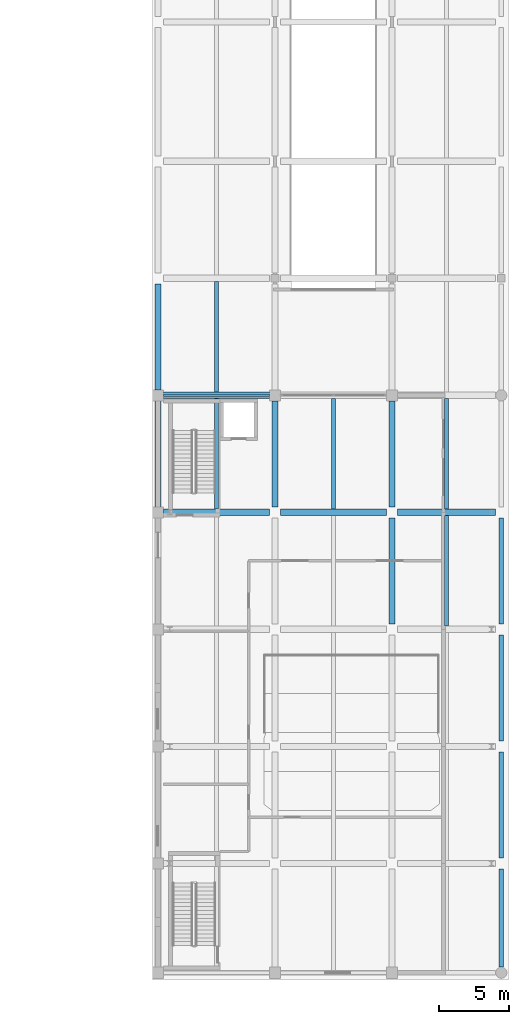
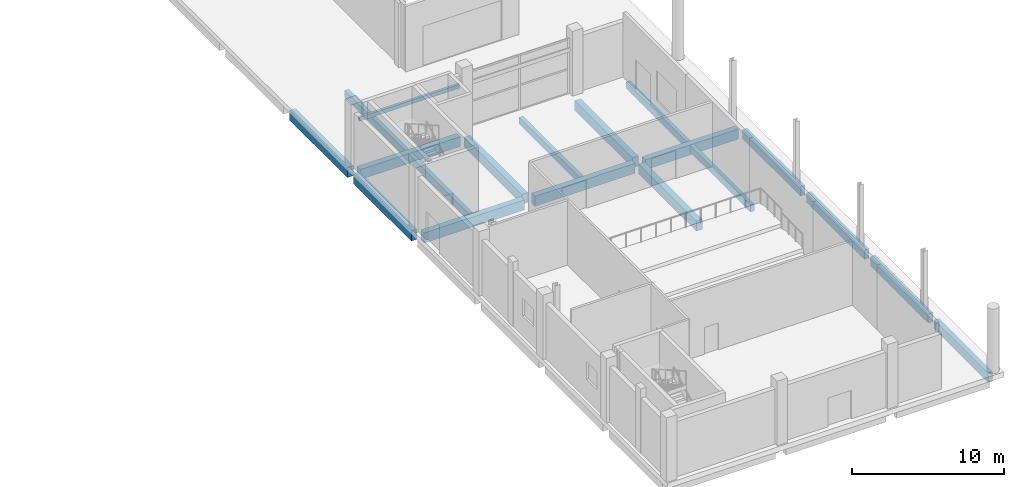
# One storey, part 15 of 34: 19 beams.
"""IFC4 building model written with IfcOpenShell, lengths in metres."""

from ifc_helpers import new_model, si_unit, direction, frame, origin, origin_2d, place, context, subcontext, project, spatial, rectangle, extrude, material, material_profile, profile_set, type_object, element, save


model = new_model("IFC4")

# Units and contexts
model_context = context("Model", 3, precision=1e-05, world=origin(), true_north=direction((0.0, 1.0)))
body_context = subcontext(model_context, "Body", "Model", "MODEL_VIEW")
ifc_project = project(units=[si_unit("LENGTHUNIT", "METRE"), si_unit("AREAUNIT", "SQUARE_METRE"), si_unit("VOLUMEUNIT", "CUBIC_METRE"), si_unit("PLANEANGLEUNIT", "RADIAN"), si_unit("MASSUNIT", "GRAM", prefix="KILO")], contexts=[model_context])

# Site, building, storey
site_placement = place(None, origin())
site = spatial("IfcSite", under=ifc_project, at=site_placement, CompositionType="ELEMENT")
building_placement = place(site_placement, origin())
building = spatial("IfcBuilding", under=site, at=building_placement, Name="Brinegate Botanical Conservatory", CompositionType="ELEMENT")
storey_placement = place(building_placement, origin())
storey = spatial("IfcBuildingStorey", under=building, at=storey_placement, Name="L01", CompositionType="ELEMENT", Elevation=0.0)

# Beams
ifc_material_1 = material(Name="Concrete C40/50", Category="concrete")
ifc_material_profile_1 = material_profile(ifc_material_1, rectangle(XDim=0.449951171875, YDim=0.800048828125, at=origin_2d()), Name="RC BM 450x800")
ifc_profile_set_1 = profile_set([ifc_material_profile_1], Name="Concrete C40/50")
beam_type_1 = type_object("IfcBeamType", Name="Beam_BM-G1", PredefinedType="BEAM", material=ifc_profile_set_1)
beam_1_placement = place(storey_placement, frame((139.199951171875, 33.60009765625, -0.804931640625), z_axis=(1.0, 0.0, 0.0), x_axis=(0.0, 1.0, 0.0)))
element("IfcBeam", 1, at=beam_1_placement, inside=storey, type_object=beam_type_1, Name="Beam BM-G1 L01 E:18-19", PredefinedType="BEAM", context=body_context, shape_type="SweptSolid", body=[
    extrude(rectangle(XDim=0.449951171875, YDim=0.800048828125, at=origin_2d()), origin(), (0.0, 0.0, 1.0), 7.60009765625),
])
beam_2_placement = place(storey_placement, frame((147.60009765625, 33.60009765625, -0.804931640625), z_axis=(1.0, 0.0, 0.0), x_axis=(0.0, 1.0, 0.0)))
element("IfcBeam", 2, at=beam_2_placement, inside=storey, type_object=beam_type_1, Name="Beam BM-G1 L01 E:19-20", PredefinedType="BEAM", context=body_context, shape_type="SweptSolid", body=[
    extrude(rectangle(XDim=0.449951171875, YDim=0.800048828125, at=origin_2d()), origin(), (0.0, 0.0, 1.0), 7.599853515625),
])
beam_3_placement = place(storey_placement, frame((156.0, 33.60009765625, -0.804931640625), z_axis=(1.0, 0.0, 0.0), x_axis=(0.0, 1.0, 0.0)))
element("IfcBeam", 3, at=beam_3_placement, inside=storey, type_object=beam_type_1, Name="Beam BM-G1 L01 E:20-21", PredefinedType="BEAM", context=body_context, shape_type="SweptSolid", body=[
    extrude(rectangle(XDim=0.449951171875, YDim=0.800048828125, at=origin_2d()), origin(), (0.0, 0.0, 1.0), 7.050048828125),
])
for number, where, z_axis, x_axis, name in (
    (4, (139.199951171875, 42.0, -0.804931640625), (1.0, 0.0, 0.0), (0.0, 1.0, 0.0), "Beam BM-G1 L01 F:18-19"),
    (5, (138.800048828125, 34.0, -0.804931640625), (0.0, 1.0, 0.0), (-1.0, 0.0, 0.0), "Beam BM-G1 L01 18:E-F"),
    (6, (138.800048828125, 42.39990234375, -0.804931640625), (0.0, 1.0, 0.0), (-1.0, 0.0, 0.0), "Beam BM-G1 L01 18:F-G"),
    (7, (147.199951171875, 34.0, -0.804931640625), (0.0, 1.0, 0.0), (-1.0, 0.0, 0.0), "Beam BM-G1 L01 19:E-F"),
):
    element("IfcBeam", number, at=place(storey_placement, frame(where, z_axis=z_axis, x_axis=x_axis)), inside=storey, type_object=beam_type_1, Name=name, PredefinedType="BEAM", context=body_context, shape_type="SweptSolid", body=[
        extrude(rectangle(XDim=0.449951171875, YDim=0.800048828125, at=origin_2d()), origin(), (0.0, 0.0, 1.0), 7.60009765625),
    ])
beam_4_placement = place(storey_placement, frame((155.60009765625, 25.60009765625, -0.804931640625), z_axis=(0.0, 1.0, 0.0), x_axis=(-1.0, 0.0, 0.0)))
element("IfcBeam", 8, at=beam_4_placement, inside=storey, type_object=beam_type_1, Name="Beam BM-G1 L01 20:D-E", PredefinedType="BEAM", context=body_context, shape_type="SweptSolid", body=[
    extrude(rectangle(XDim=0.449951171875, YDim=0.800048828125, at=origin_2d()), origin(), (0.0, 0.0, 1.0), 7.599853515625),
])
beam_5_placement = place(storey_placement, frame((155.60009765625, 34.0, -0.804931640625), z_axis=(0.0, 1.0, 0.0), x_axis=(-1.0, 0.0, 0.0)))
element("IfcBeam", 9, at=beam_5_placement, inside=storey, type_object=beam_type_1, Name="Beam BM-G1 L01 20:E-F", PredefinedType="BEAM", context=body_context, shape_type="SweptSolid", body=[
    extrude(rectangle(XDim=0.449951171875, YDim=0.800048828125, at=origin_2d()), origin(), (0.0, 0.0, 1.0), 7.60009765625),
])
ifc_material_profile_2 = material_profile(ifc_material_1, rectangle(XDim=0.300048828125, YDim=0.550048828125, at=origin_2d()), Name="RC JST 300x550")
ifc_profile_set_2 = profile_set([ifc_material_profile_2], Name="Concrete C40/50")
beam_type_2 = type_object("IfcBeamType", Name="Beam_JS-C1", PredefinedType="JOIST", material=ifc_profile_set_2)
for number, where, z_axis, x_axis, name in (
    (10, (143.0, 33.824951171875, -0.679931640625), (0.0, 1.0, 0.0), (-1.0, 0.0, 0.0), "Floor joist JS-C1 L01 bay 18.5"),
    (11, (143.0, 42.22509765625, -0.679931640625), (0.0, 1.0, 0.0), (-1.0, 0.0, 0.0), "Floor joist JS-C1 L01 bay 18.6"),
    (12, (151.39990234375, 33.824951171875, -0.679931640625), (0.0, 1.0, 0.0), (-1.0, 0.0, 0.0), "Floor joist JS-C1 L01 bay 19.5"),
    (13, (159.52490234375, 25.425048828125, -0.679931640625), (0.0, 1.0, 0.0), (-1.0, 0.0, 0.0), "Floor joist JS-C1 L01 bay 20.4"),
    (14, (159.52490234375, 33.824951171875, -0.679931640625), (0.0, 1.0, 0.0), (-1.0, 0.0, 0.0), "Floor joist JS-C1 L01 bay 20.5"),
):
    element("IfcBeam", number, at=place(storey_placement, frame(where, z_axis=z_axis, x_axis=x_axis)), inside=storey, type_object=beam_type_2, Name=name, PredefinedType="JOIST", context=body_context, shape_type="SweptSolid", body=[
        extrude(rectangle(XDim=0.300048828125, YDim=0.550048828125, at=origin_2d()), origin(), (0.0, 0.0, 1.0), 7.949951171875),
    ])
ifc_material_2 = material(Name="Precast concrete C40/50", Category="concrete")
ifc_material_profile_3 = material_profile(ifc_material_2, rectangle(XDim=0.199951171875, YDim=0.300048828125, at=origin_2d()), Name="RC LNT 200x300")
ifc_profile_set_3 = profile_set([ifc_material_profile_3], Name="Precast concrete C40/50")
beam_type_3 = type_object("IfcBeamType", Name="Beam_LN-02", PredefinedType="LINTEL", material=ifc_profile_set_3)
beam_6_placement = place(storey_placement, frame((139.199951171875, 42.0, 3.550048828125), z_axis=(1.0, 0.0, 0.0), x_axis=(0.0, 1.0, 0.0)))
element("IfcBeam", 15, at=beam_6_placement, inside=storey, type_object=beam_type_3, Name="Warehouse opening lintel LN-02 7", PredefinedType="LINTEL", context=body_context, shape_type="SweptSolid", body=[
    extrude(rectangle(XDim=0.199951171875, YDim=0.300048828125, at=origin_2d()), origin(), (0.0, 0.0, 1.0), 7.60009765625),
])
ifc_material_profile_4 = material_profile(ifc_material_1, rectangle(XDim=0.35009765625, YDim=0.75, at=origin_2d()), Name="RC SPN 350x750")
ifc_profile_set_4 = profile_set([ifc_material_profile_4], Name="Concrete C40/50")
beam_type_4 = type_object("IfcBeamType", Name="Beam_SP-01", PredefinedType="SPANDREL", material=ifc_profile_set_4)
beam_7_placement = place(storey_placement, frame((163.449951171875, 0.949951171875, -0.780029296875), z_axis=(0.0, 1.0, 0.0), x_axis=(-1.0, 0.0, 0.0)))
element("IfcBeam", 16, at=beam_7_placement, inside=storey, type_object=beam_type_4, Name="Beam SP-01 L01 21:A-B", PredefinedType="SPANDREL", context=body_context, shape_type="SweptSolid", body=[
    extrude(rectangle(XDim=0.35009765625, YDim=0.75, at=origin_2d()), origin(), (0.0, 0.0, 1.0), 7.050048828125),
])
beam_8_placement = place(storey_placement, frame((163.449951171875, 8.800048828125, -0.780029296875), z_axis=(0.0, 1.0, 0.0), x_axis=(-1.0, 0.0, 0.0)))
element("IfcBeam", 17, at=beam_8_placement, inside=storey, type_object=beam_type_4, Name="Beam SP-01 L01 21:B-C", PredefinedType="SPANDREL", context=body_context, shape_type="SweptSolid", body=[
    extrude(rectangle(XDim=0.35009765625, YDim=0.75, at=origin_2d()), origin(), (0.0, 0.0, 1.0), 7.599853515625),
])
beam_9_placement = place(storey_placement, frame((163.449951171875, 17.199951171875, -0.780029296875), z_axis=(0.0, 1.0, 0.0), x_axis=(-1.0, 0.0, 0.0)))
element("IfcBeam", 18, at=beam_9_placement, inside=storey, type_object=beam_type_4, Name="Beam SP-01 L01 21:C-D", PredefinedType="SPANDREL", context=body_context, shape_type="SweptSolid", body=[
    extrude(rectangle(XDim=0.35009765625, YDim=0.75, at=origin_2d()), origin(), (0.0, 0.0, 1.0), 7.60009765625),
])
beam_10_placement = place(storey_placement, frame((163.449951171875, 25.60009765625, -0.780029296875), z_axis=(0.0, 1.0, 0.0), x_axis=(-1.0, 0.0, 0.0)))
element("IfcBeam", 19, at=beam_10_placement, inside=storey, type_object=beam_type_4, Name="Beam SP-01 L01 21:D-E", PredefinedType="SPANDREL", context=body_context, shape_type="SweptSolid", body=[
    extrude(rectangle(XDim=0.35009765625, YDim=0.75, at=origin_2d()), origin(), (0.0, 0.0, 1.0), 7.599853515625),
])

save(model, "model.ifc")
